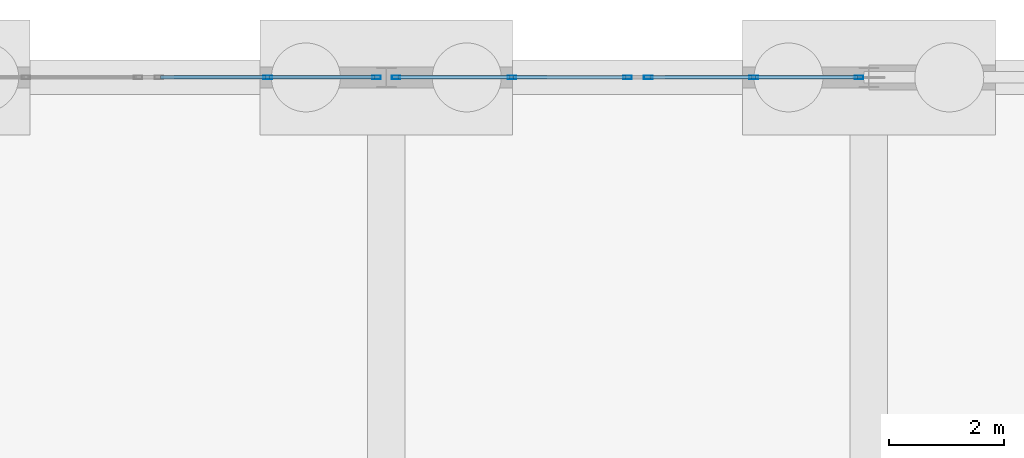
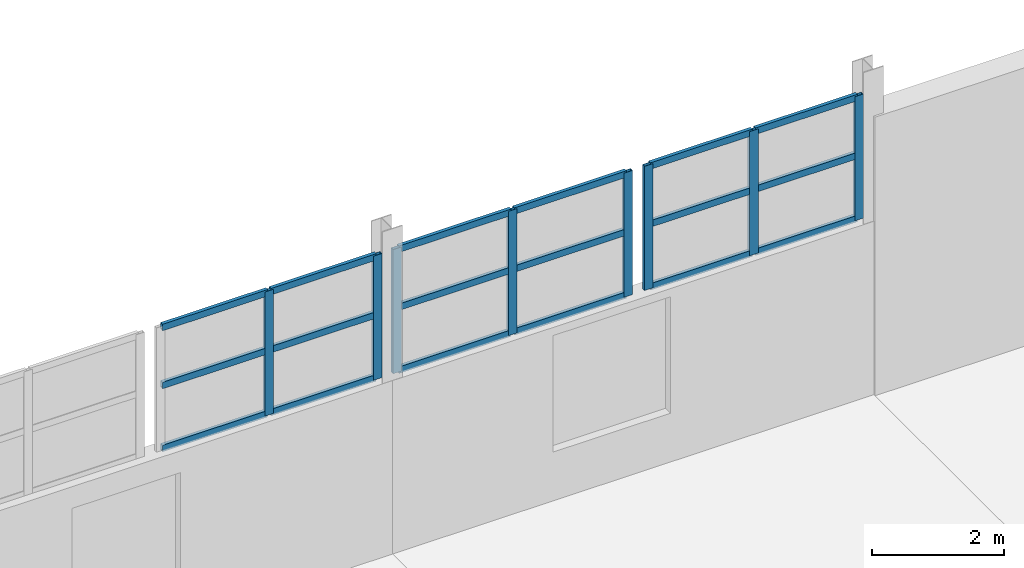
# One storey, part 101 of 139: 26 members, 3 elements without a shape of their own.
"""IFC4 building model written with IfcOpenShell, lengths in metres."""

from ifc_helpers import new_model, si_unit, direction, frame, origin, origin_2d, place, context, subcontext, project, spatial, hollow_rectangle, extrude, material, material_profile, profile_set, type_object, element, aggregate, save


model = new_model("IFC4")

# Units and contexts
model_context = context("Model", 3, precision=1e-05, world=origin(), true_north=direction((0.0, 1.0)))
body_context = subcontext(model_context, "Body", "Model", "MODEL_VIEW")
ifc_project = project(units=[si_unit("LENGTHUNIT", "METRE"), si_unit("AREAUNIT", "SQUARE_METRE"), si_unit("VOLUMEUNIT", "CUBIC_METRE"), si_unit("PLANEANGLEUNIT", "RADIAN"), si_unit("MASSUNIT", "GRAM", prefix="KILO")], contexts=[model_context])

# Site, building, storey
site_placement = place(None, origin())
site = spatial("IfcSite", under=ifc_project, at=site_placement, CompositionType="ELEMENT")
building_placement = place(site_placement, origin())
building = spatial("IfcBuilding", under=site, at=building_placement, Name="Kazenagashi Tramway Depot", CompositionType="ELEMENT")
storey_placement = place(building_placement, origin())
storey = spatial("IfcBuildingStorey", under=building, at=storey_placement, Name="L01", CompositionType="ELEMENT", Elevation=0.0)

# Curtain wall, members
ifc_material_1 = material(Name="Anodised Aluminium and Low-E Glazing", Category="aluminium")
curtain_wall_type_1 = type_object("IfcCurtainWallType", Name="CW-18", PredefinedType="USERDEFINED", material=ifc_material_1)
curtain_wall_1_placement = place(storey_placement, origin())
curtain_wall_1 = element("IfcCurtainWall", 1, at=curtain_wall_1_placement, inside=storey, type_object=curtain_wall_type_1, Name="Industrial Glazed Screen CW-18 CW-0089", ObjectType="GLAZED SCREEN", PredefinedType="USERDEFINED")
ifc_material_2 = material(Name="Anodised Aluminium", Category="aluminium")
ifc_material_profile_1 = material_profile(ifc_material_2, hollow_rectangle(XDim=0.06, YDim=0.15, WallThickness=0.004, at=origin_2d()), Name="RHS-150x60x4")
ifc_profile_set_1 = profile_set([ifc_material_profile_1], Name="Anodised Aluminium")
member_type_1 = type_object("IfcMemberType", Name="ML-01", PredefinedType="MULLION", material=ifc_profile_set_1)
member_1_placement = place(storey_placement, frame((168.735, 130.0, 3.2), z_axis=(0.0, 0.0, 1.0), x_axis=(0.0, 1.0, 0.0)))
member_1 = element("IfcMember", 2, at=member_1_placement, type_object=member_type_1, Name="CW-18 mullion 2", PredefinedType="MULLION", context=body_context, shape_type="SweptSolid", body=[
    extrude(hollow_rectangle(XDim=0.06, YDim=0.15, WallThickness=0.004, at=origin_2d()), origin(), (0.0, 0.0, 1.0), 2.292),
])
member_2_placement = place(storey_placement, frame((170.63, 130.0, 3.2), z_axis=(0.0, 0.0, 1.0), x_axis=(0.0, 1.0, 0.0)))
member_2 = element("IfcMember", 3, at=member_2_placement, type_object=member_type_1, Name="CW-18 mullion 3", PredefinedType="MULLION", context=body_context, shape_type="SweptSolid", body=[
    extrude(hollow_rectangle(XDim=0.06, YDim=0.15, WallThickness=0.004, at=origin_2d()), origin(), (0.0, 0.0, 1.0), 2.292),
])

curtain_wall_type_2 = type_object("IfcCurtainWallType", Name="CW-16", PredefinedType="USERDEFINED", material=ifc_material_1)
curtain_wall_2_placement = place(storey_placement, origin())
curtain_wall_2 = element("IfcCurtainWall", 4, at=curtain_wall_2_placement, inside=storey, type_object=curtain_wall_type_2, Name="Industrial Glazed Screen CW-16 CW-0091", ObjectType="GLAZED SCREEN", PredefinedType="USERDEFINED")
member_3_placement = place(storey_placement, frame((170.97, 130.0, 3.2), z_axis=(0.0, 0.0, 1.0), x_axis=(0.0, 1.0, 0.0)))
member_3 = element("IfcMember", 5, at=member_3_placement, type_object=member_type_1, Name="CW-16 mullion 1", PredefinedType="MULLION", context=body_context, shape_type="SweptSolid", body=[
    extrude(hollow_rectangle(XDim=0.06, YDim=0.15, WallThickness=0.004, at=origin_2d()), origin(), (0.0, 0.0, 1.0), 2.292),
])
member_4_placement = place(storey_placement, frame((172.985, 130.0, 3.2), z_axis=(0.0, 0.0, 1.0), x_axis=(0.0, 1.0, 0.0)))
member_4 = element("IfcMember", 6, at=member_4_placement, type_object=member_type_1, Name="CW-16 mullion 2", PredefinedType="MULLION", context=body_context, shape_type="SweptSolid", body=[
    extrude(hollow_rectangle(XDim=0.06, YDim=0.15, WallThickness=0.004, at=origin_2d()), origin(), (0.0, 0.0, 1.0), 2.292),
])
member_5_placement = place(storey_placement, frame((175.0, 130.0, 3.2), z_axis=(0.0, 0.0, 1.0), x_axis=(0.0, 1.0, 0.0)))
member_5 = element("IfcMember", 7, at=member_5_placement, type_object=member_type_1, Name="CW-16 mullion 3", PredefinedType="MULLION", context=body_context, shape_type="SweptSolid", body=[
    extrude(hollow_rectangle(XDim=0.06, YDim=0.15, WallThickness=0.004, at=origin_2d()), origin(), (0.0, 0.0, 1.0), 2.292),
])

curtain_wall_type_3 = type_object("IfcCurtainWallType", Name="CW-17", PredefinedType="USERDEFINED", material=ifc_material_1)
curtain_wall_3_placement = place(storey_placement, origin())
curtain_wall_3 = element("IfcCurtainWall", 8, at=curtain_wall_3_placement, inside=storey, type_object=curtain_wall_type_3, Name="Industrial Glazed Screen CW-17 CW-0092", ObjectType="GLAZED SCREEN", PredefinedType="USERDEFINED")
member_6_placement = place(storey_placement, frame((175.36, 130.0, 3.2), z_axis=(0.0, 0.0, 1.0), x_axis=(0.0, 1.0, 0.0)))
member_6 = element("IfcMember", 9, at=member_6_placement, type_object=member_type_1, Name="CW-17 mullion 1", PredefinedType="MULLION", context=body_context, shape_type="SweptSolid", body=[
    extrude(hollow_rectangle(XDim=0.06, YDim=0.15, WallThickness=0.004, at=origin_2d()), origin(), (0.0, 0.0, 1.0), 2.292),
])
member_7_placement = place(storey_placement, frame((177.195, 130.0, 3.2), z_axis=(0.0, 0.0, 1.0), x_axis=(0.0, 1.0, 0.0)))
member_7 = element("IfcMember", 10, at=member_7_placement, type_object=member_type_1, Name="CW-17 mullion 2", PredefinedType="MULLION", context=body_context, shape_type="SweptSolid", body=[
    extrude(hollow_rectangle(XDim=0.06, YDim=0.15, WallThickness=0.004, at=origin_2d()), origin(), (0.0, 0.0, 1.0), 2.292),
])
member_8_placement = place(storey_placement, frame((179.03, 130.0, 3.2), z_axis=(0.0, 0.0, 1.0), x_axis=(0.0, 1.0, 0.0)))
member_8 = element("IfcMember", 11, at=member_8_placement, type_object=member_type_1, Name="CW-17 mullion 3", PredefinedType="MULLION", context=body_context, shape_type="SweptSolid", body=[
    extrude(hollow_rectangle(XDim=0.06, YDim=0.15, WallThickness=0.004, at=origin_2d()), origin(), (0.0, 0.0, 1.0), 2.292),
])

# Member
ifc_material_profile_2 = material_profile(ifc_material_2, hollow_rectangle(XDim=0.06, YDim=0.12, WallThickness=0.004, at=origin_2d()), Name="RHS-120x60x4")
ifc_profile_set_2 = profile_set([ifc_material_profile_2], Name="Anodised Aluminium")
member_type_2 = type_object("IfcMemberType", Name="TR-01", PredefinedType="USERDEFINED", material=ifc_profile_set_2)
member_9_placement = place(storey_placement, frame((166.87, 130.0, 3.23), z_axis=(1.0, 0.0, 0.0), x_axis=(0.0, 1.0, 0.0)))
member_9 = element("IfcMember", 12, at=member_9_placement, type_object=member_type_2, Name="CW-18 transom 1.1", ObjectType="TRANSOM", PredefinedType="USERDEFINED", context=body_context, shape_type="SweptSolid", body=[
    extrude(hollow_rectangle(XDim=0.06, YDim=0.12, WallThickness=0.004, at=origin_2d()), origin(), (0.0, 0.0, 1.0), 1.835),
])

member_10_placement = place(storey_placement, frame((166.87, 130.0, 4.392), z_axis=(1.0, 0.0, 0.0), x_axis=(0.0, 1.0, 0.0)))
member_10 = element("IfcMember", 13, at=member_10_placement, type_object=member_type_2, Name="CW-18 transom 1.2", ObjectType="TRANSOM", PredefinedType="USERDEFINED", context=body_context, shape_type="SweptSolid", body=[
    extrude(hollow_rectangle(XDim=0.06, YDim=0.12, WallThickness=0.004, at=origin_2d()), origin(), (0.0, 0.0, 1.0), 1.835),
])

member_11_placement = place(storey_placement, frame((166.87, 130.0, 5.462), z_axis=(1.0, 0.0, 0.0), x_axis=(0.0, 1.0, 0.0)))
member_11 = element("IfcMember", 14, at=member_11_placement, type_object=member_type_2, Name="CW-18 transom 1.3", ObjectType="TRANSOM", PredefinedType="USERDEFINED", context=body_context, shape_type="SweptSolid", body=[
    extrude(hollow_rectangle(XDim=0.06, YDim=0.12, WallThickness=0.004, at=origin_2d()), origin(), (0.0, 0.0, 1.0), 1.835),
])

member_12_placement = place(storey_placement, frame((168.765, 130.0, 3.23), z_axis=(1.0, 0.0, 0.0), x_axis=(0.0, 1.0, 0.0)))
member_12 = element("IfcMember", 15, at=member_12_placement, type_object=member_type_2, Name="CW-18 transom 2.1", ObjectType="TRANSOM", PredefinedType="USERDEFINED", context=body_context, shape_type="SweptSolid", body=[
    extrude(hollow_rectangle(XDim=0.06, YDim=0.12, WallThickness=0.004, at=origin_2d()), origin(), (0.0, 0.0, 1.0), 1.835),
])

member_13_placement = place(storey_placement, frame((168.765, 130.0, 4.392), z_axis=(1.0, 0.0, 0.0), x_axis=(0.0, 1.0, 0.0)))
member_13 = element("IfcMember", 16, at=member_13_placement, type_object=member_type_2, Name="CW-18 transom 2.2", ObjectType="TRANSOM", PredefinedType="USERDEFINED", context=body_context, shape_type="SweptSolid", body=[
    extrude(hollow_rectangle(XDim=0.06, YDim=0.12, WallThickness=0.004, at=origin_2d()), origin(), (0.0, 0.0, 1.0), 1.835),
])

member_14_placement = place(storey_placement, frame((168.765, 130.0, 5.462), z_axis=(1.0, 0.0, 0.0), x_axis=(0.0, 1.0, 0.0)))
member_14 = element("IfcMember", 17, at=member_14_placement, type_object=member_type_2, Name="CW-18 transom 2.3", ObjectType="TRANSOM", PredefinedType="USERDEFINED", context=body_context, shape_type="SweptSolid", body=[
    extrude(hollow_rectangle(XDim=0.06, YDim=0.12, WallThickness=0.004, at=origin_2d()), origin(), (0.0, 0.0, 1.0), 1.835),
])

aggregate(curtain_wall_1, [member_1, member_2, member_9, member_10, member_11, member_12, member_13, member_14])

member_15_placement = place(storey_placement, frame((171.0, 130.0, 3.23), z_axis=(1.0, 0.0, 0.0), x_axis=(0.0, 1.0, 0.0)))
member_15 = element("IfcMember", 18, at=member_15_placement, type_object=member_type_2, Name="CW-16 transom 1.1", ObjectType="TRANSOM", PredefinedType="USERDEFINED", context=body_context, shape_type="SweptSolid", body=[
    extrude(hollow_rectangle(XDim=0.06, YDim=0.12, WallThickness=0.004, at=origin_2d()), origin(), (0.0, 0.0, 1.0), 1.955),
])

member_16_placement = place(storey_placement, frame((171.0, 130.0, 4.392), z_axis=(1.0, 0.0, 0.0), x_axis=(0.0, 1.0, 0.0)))
member_16 = element("IfcMember", 19, at=member_16_placement, type_object=member_type_2, Name="CW-16 transom 1.2", ObjectType="TRANSOM", PredefinedType="USERDEFINED", context=body_context, shape_type="SweptSolid", body=[
    extrude(hollow_rectangle(XDim=0.06, YDim=0.12, WallThickness=0.004, at=origin_2d()), origin(), (0.0, 0.0, 1.0), 1.955),
])

member_17_placement = place(storey_placement, frame((171.0, 130.0, 5.462), z_axis=(1.0, 0.0, 0.0), x_axis=(0.0, 1.0, 0.0)))
member_17 = element("IfcMember", 20, at=member_17_placement, type_object=member_type_2, Name="CW-16 transom 1.3", ObjectType="TRANSOM", PredefinedType="USERDEFINED", context=body_context, shape_type="SweptSolid", body=[
    extrude(hollow_rectangle(XDim=0.06, YDim=0.12, WallThickness=0.004, at=origin_2d()), origin(), (0.0, 0.0, 1.0), 1.955),
])

member_18_placement = place(storey_placement, frame((173.015, 130.0, 3.23), z_axis=(1.0, 0.0, 0.0), x_axis=(0.0, 1.0, 0.0)))
member_18 = element("IfcMember", 21, at=member_18_placement, type_object=member_type_2, Name="CW-16 transom 2.1", ObjectType="TRANSOM", PredefinedType="USERDEFINED", context=body_context, shape_type="SweptSolid", body=[
    extrude(hollow_rectangle(XDim=0.06, YDim=0.12, WallThickness=0.004, at=origin_2d()), origin(), (0.0, 0.0, 1.0), 1.955),
])

member_19_placement = place(storey_placement, frame((173.015, 130.0, 4.392), z_axis=(1.0, 0.0, 0.0), x_axis=(0.0, 1.0, 0.0)))
member_19 = element("IfcMember", 22, at=member_19_placement, type_object=member_type_2, Name="CW-16 transom 2.2", ObjectType="TRANSOM", PredefinedType="USERDEFINED", context=body_context, shape_type="SweptSolid", body=[
    extrude(hollow_rectangle(XDim=0.06, YDim=0.12, WallThickness=0.004, at=origin_2d()), origin(), (0.0, 0.0, 1.0), 1.955),
])

member_20_placement = place(storey_placement, frame((173.015, 130.0, 5.462), z_axis=(1.0, 0.0, 0.0), x_axis=(0.0, 1.0, 0.0)))
member_20 = element("IfcMember", 23, at=member_20_placement, type_object=member_type_2, Name="CW-16 transom 2.3", ObjectType="TRANSOM", PredefinedType="USERDEFINED", context=body_context, shape_type="SweptSolid", body=[
    extrude(hollow_rectangle(XDim=0.06, YDim=0.12, WallThickness=0.004, at=origin_2d()), origin(), (0.0, 0.0, 1.0), 1.955),
])

aggregate(curtain_wall_2, [member_3, member_4, member_5, member_15, member_16, member_17, member_18, member_19, member_20])

member_21_placement = place(storey_placement, frame((175.39, 130.0, 3.23), z_axis=(1.0, 0.0, 0.0), x_axis=(0.0, 1.0, 0.0)))
member_21 = element("IfcMember", 24, at=member_21_placement, type_object=member_type_2, Name="CW-17 transom 1.1", ObjectType="TRANSOM", PredefinedType="USERDEFINED", context=body_context, shape_type="SweptSolid", body=[
    extrude(hollow_rectangle(XDim=0.06, YDim=0.12, WallThickness=0.004, at=origin_2d()), origin(), (0.0, 0.0, 1.0), 1.775),
])

member_22_placement = place(storey_placement, frame((175.39, 130.0, 4.392), z_axis=(1.0, 0.0, 0.0), x_axis=(0.0, 1.0, 0.0)))
member_22 = element("IfcMember", 25, at=member_22_placement, type_object=member_type_2, Name="CW-17 transom 1.2", ObjectType="TRANSOM", PredefinedType="USERDEFINED", context=body_context, shape_type="SweptSolid", body=[
    extrude(hollow_rectangle(XDim=0.06, YDim=0.12, WallThickness=0.004, at=origin_2d()), origin(), (0.0, 0.0, 1.0), 1.775),
])

member_23_placement = place(storey_placement, frame((175.39, 130.0, 5.462), z_axis=(1.0, 0.0, 0.0), x_axis=(0.0, 1.0, 0.0)))
member_23 = element("IfcMember", 26, at=member_23_placement, type_object=member_type_2, Name="CW-17 transom 1.3", ObjectType="TRANSOM", PredefinedType="USERDEFINED", context=body_context, shape_type="SweptSolid", body=[
    extrude(hollow_rectangle(XDim=0.06, YDim=0.12, WallThickness=0.004, at=origin_2d()), origin(), (0.0, 0.0, 1.0), 1.775),
])

member_24_placement = place(storey_placement, frame((177.225, 130.0, 3.23), z_axis=(1.0, 0.0, 0.0), x_axis=(0.0, 1.0, 0.0)))
member_24 = element("IfcMember", 27, at=member_24_placement, type_object=member_type_2, Name="CW-17 transom 2.1", ObjectType="TRANSOM", PredefinedType="USERDEFINED", context=body_context, shape_type="SweptSolid", body=[
    extrude(hollow_rectangle(XDim=0.06, YDim=0.12, WallThickness=0.004, at=origin_2d()), origin(), (0.0, 0.0, 1.0), 1.775),
])

member_25_placement = place(storey_placement, frame((177.225, 130.0, 4.392), z_axis=(1.0, 0.0, 0.0), x_axis=(0.0, 1.0, 0.0)))
member_25 = element("IfcMember", 28, at=member_25_placement, type_object=member_type_2, Name="CW-17 transom 2.2", ObjectType="TRANSOM", PredefinedType="USERDEFINED", context=body_context, shape_type="SweptSolid", body=[
    extrude(hollow_rectangle(XDim=0.06, YDim=0.12, WallThickness=0.004, at=origin_2d()), origin(), (0.0, 0.0, 1.0), 1.775),
])

member_26_placement = place(storey_placement, frame((177.225, 130.0, 5.462), z_axis=(1.0, 0.0, 0.0), x_axis=(0.0, 1.0, 0.0)))
member_26 = element("IfcMember", 29, at=member_26_placement, type_object=member_type_2, Name="CW-17 transom 2.3", ObjectType="TRANSOM", PredefinedType="USERDEFINED", context=body_context, shape_type="SweptSolid", body=[
    extrude(hollow_rectangle(XDim=0.06, YDim=0.12, WallThickness=0.004, at=origin_2d()), origin(), (0.0, 0.0, 1.0), 1.775),
])

aggregate(curtain_wall_3, [member_6, member_7, member_8, member_21, member_22, member_23, member_24, member_25, member_26])

save(model, "model.ifc")
